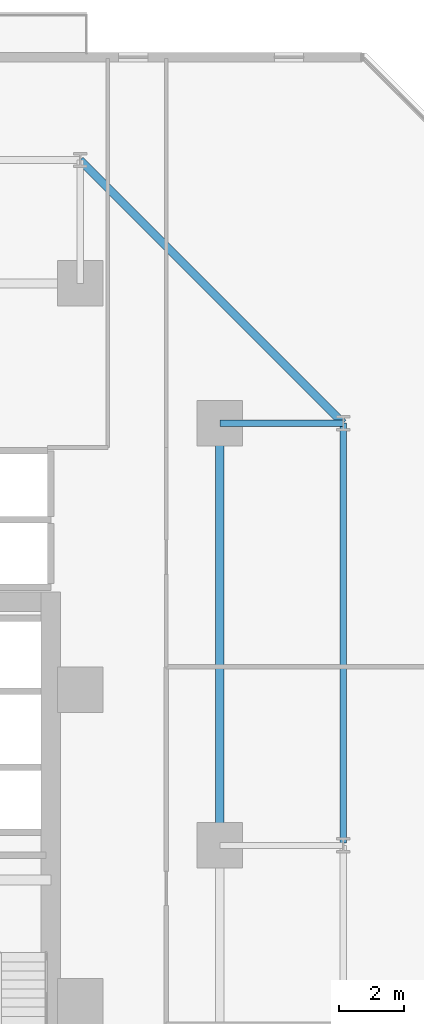
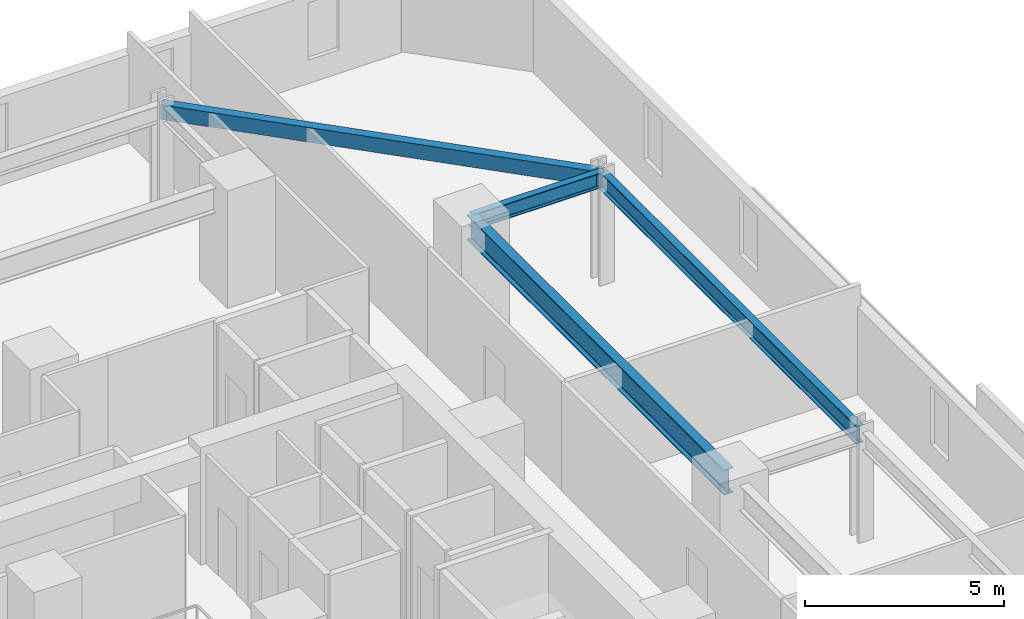
# One storey, part 18 of 35: 4 beams.
"""IFC4 building model written with IfcOpenShell, lengths in metres."""

from ifc_helpers import new_model, si_unit, direction, frame, origin, origin_2d, place, context, subcontext, project, spatial, hollow_rectangle, i_section, extrude, material, material_profile, profile_set, type_object, element, save


model = new_model("IFC4")

# Units and contexts
model_context = context("Model", 3, precision=1e-05, world=origin(), true_north=direction((0.0, 1.0)))
body_context = subcontext(model_context, "Body", "Model", "MODEL_VIEW")
ifc_project = project(units=[si_unit("LENGTHUNIT", "METRE"), si_unit("AREAUNIT", "SQUARE_METRE"), si_unit("VOLUMEUNIT", "CUBIC_METRE"), si_unit("PLANEANGLEUNIT", "RADIAN"), si_unit("MASSUNIT", "GRAM", prefix="KILO")], contexts=[model_context])

# Site, building, storey
site_placement = place(None, origin())
site = spatial("IfcSite", under=ifc_project, at=site_placement, CompositionType="ELEMENT")
building_placement = place(site_placement, origin())
building = spatial("IfcBuilding", under=site, at=building_placement, Name="Thornwick Lancets Civic Towers", CompositionType="ELEMENT")
storey_placement = place(building_placement, frame((0.0, 0.0, 64.5)))
storey = spatial("IfcBuildingStorey", under=building, at=storey_placement, Name="L16", CompositionType="ELEMENT", Elevation=64.5)

# Beams
ifc_material = material(Name="Steel S355JR", Category="steel")
ifc_material_profile_1 = material_profile(ifc_material, i_section(OverallWidth=0.2119140625, OverallDepth=0.54443359375, WebThickness=0.0126953125, FlangeThickness=0.021240234375, FilletRadius=0.0126953125, at=origin_2d()), Name="UKB 533x210x122")
ifc_profile_set_1 = profile_set([ifc_material_profile_1], Name="Steel S355JR")
beam_type_1 = type_object("IfcBeamType", Name="BM_EDGE_533_122", PredefinedType="SPANDREL", material=ifc_profile_set_1)
beam_1_placement = place(storey_placement, frame((109.60009765625, 27.080078125, 3.087646484375), z_axis=(0.0, 1.0, 0.0), x_axis=(-1.0, 0.0, 0.0)))
element("IfcBeam", 1, at=beam_1_placement, inside=storey, type_object=beam_type_1, Name="BM-EDGE-L16-B-S0-2", PredefinedType="SPANDREL", context=body_context, shape_type="SweptSolid", body=[
    extrude(i_section(OverallWidth=0.2119140625, OverallDepth=0.54443359375, WebThickness=0.0126953125, FlangeThickness=0.021240234375, FilletRadius=0.0126953125, at=origin_2d()), origin(), (0.0, 0.0, 1.0), 12.919921875),
])
ifc_material_profile_2 = material_profile(ifc_material, i_section(OverallWidth=0.26806640625, OverallDepth=0.769775390625, WebThickness=0.015625, FlangeThickness=0.025390625, FilletRadius=0.0166015625, at=origin_2d()), Name="UKB 762x267x197")
ifc_profile_set_2 = profile_set([ifc_material_profile_2], Name="Steel S355JR")
beam_type_2 = type_object("IfcBeamType", Name="BM_GIRD_762_197", PredefinedType="BEAM", material=ifc_profile_set_2)
beam_2_placement = place(storey_placement, frame((105.800048828125, 27.080078125, 2.97509765625), z_axis=(0.0, 1.0, 0.0), x_axis=(-1.0, 0.0, 0.0)))
element("IfcBeam", 2, at=beam_2_placement, inside=storey, type_object=beam_type_2, Name="BM-SPINE-L16-B-1-2", PredefinedType="BEAM", context=body_context, shape_type="SweptSolid", body=[
    extrude(i_section(OverallWidth=0.26806640625, OverallDepth=0.769775390625, WebThickness=0.015625, FlangeThickness=0.025390625, FilletRadius=0.0166015625, at=origin_2d()), origin(), (0.0, 0.0, 1.0), 12.919921875),
])
ifc_material_profile_3 = material_profile(ifc_material, i_section(OverallWidth=0.19287109375, OverallDepth=0.46728515625, WebThickness=0.011474609375, FlangeThickness=0.01953125, FilletRadius=0.01025390625, at=origin_2d()), Name="UKB 457x191x98")
ifc_profile_set_3 = profile_set([ifc_material_profile_3], Name="Steel S355JR")
beam_type_3 = type_object("IfcBeamType", Name="BM_JOIST_457_98", PredefinedType="JOIST", material=ifc_profile_set_3)
beam_3_placement = place(storey_placement, frame((105.800048828125, 40.0, 3.12646484375), z_axis=(1.0, 0.0, 0.0), x_axis=(0.0, 1.0, 0.0)))
element("IfcBeam", 3, at=beam_3_placement, inside=storey, type_object=beam_type_3, Name="BM-RAD-L16-B03", PredefinedType="JOIST", context=body_context, shape_type="SweptSolid", body=[
    extrude(i_section(OverallWidth=0.19287109375, OverallDepth=0.46728515625, WebThickness=0.011474609375, FlangeThickness=0.01953125, FilletRadius=0.01025390625, at=origin_2d()), origin(), (0.0, 0.0, 1.0), 3.800048828125),
])
ifc_material_profile_4 = material_profile(ifc_material, hollow_rectangle(XDim=0.25, YDim=0.449951171875, WallThickness=0.01611328125, at=origin_2d()), Name="RHS 450x250x16")
ifc_profile_set_4 = profile_set([ifc_material_profile_4], Name="Steel S355JR")
beam_type_4 = type_object("IfcBeamType", Name="BM_RING_RHS450", PredefinedType="BEAM", material=ifc_profile_set_4)
beam_4_placement = place(storey_placement, frame((109.60009765625, 40.0, 3.135009765625), z_axis=(-0.707106781187, 0.707106781187, 0.0), x_axis=(-0.707106781187, -0.707106781187, 0.0)))
element("IfcBeam", 4, at=beam_4_placement, inside=storey, type_object=beam_type_4, Name="BM-CHAMF-L16-B-C0", PredefinedType="BEAM", context=body_context, shape_type="SweptSolid", body=[
    extrude(hollow_rectangle(XDim=0.25, YDim=0.449951171875, WallThickness=0.01611328125, at=origin_2d()), origin(), (0.0, 0.0, 1.0), 11.455322265625),
])

save(model, "model.ifc")
